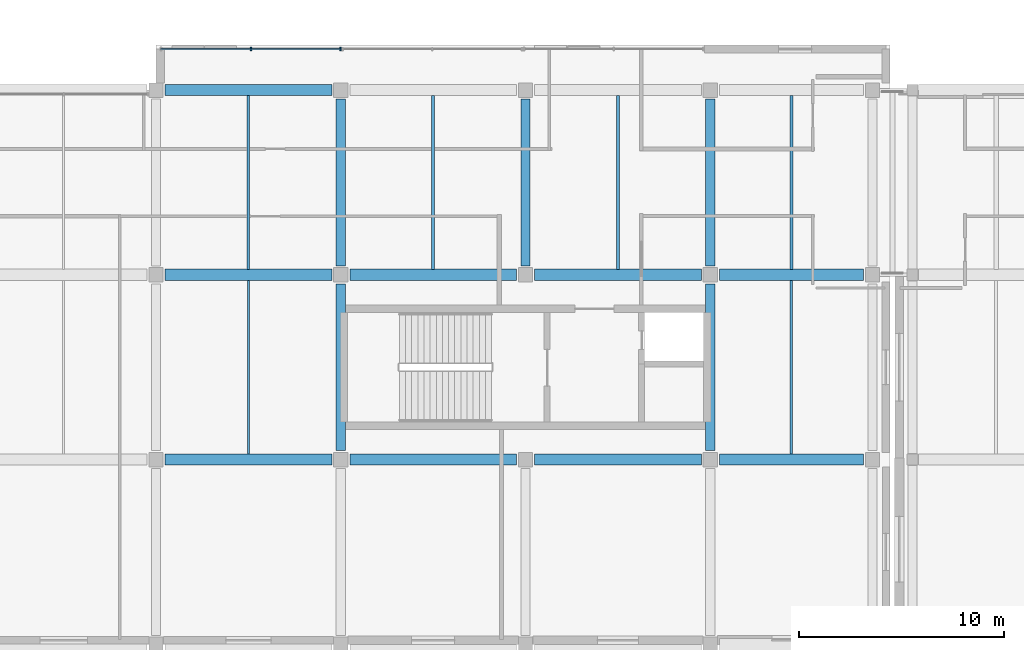
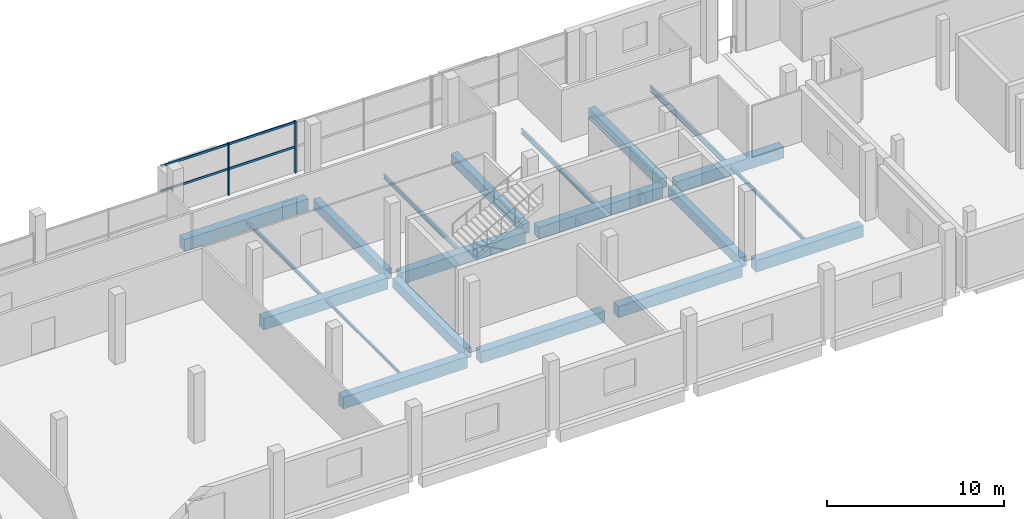
# One storey, part 50 of 111: 20 beams, 4 members, 1 element without a shape of its own.
"""IFC4 building model written with IfcOpenShell, lengths in metres."""

from ifc_helpers import new_model, si_unit, direction, frame, origin, origin_2d, place, context, subcontext, project, spatial, rectangle, i_section, extrude, material, material_profile, profile_set, type_object, element, aggregate, save


model = new_model("IFC4")

# Units and contexts
model_context = context("Model", 3, precision=1e-05, world=origin(), true_north=direction((0.0, 1.0)))
body_context = subcontext(model_context, "Body", "Model", "MODEL_VIEW")
ifc_project = project(units=[si_unit("LENGTHUNIT", "METRE"), si_unit("AREAUNIT", "SQUARE_METRE"), si_unit("VOLUMEUNIT", "CUBIC_METRE"), si_unit("PLANEANGLEUNIT", "RADIAN"), si_unit("MASSUNIT", "GRAM", prefix="KILO"), si_unit("THERMODYNAMICTEMPERATUREUNIT", "KELVIN"), si_unit("POWERUNIT", "WATT")], contexts=[model_context])

# Site, building, storey
site_placement = place(None, origin())
site = spatial("IfcSite", under=ifc_project, at=site_placement, CompositionType="ELEMENT")
building_placement = place(site_placement, origin())
building = spatial("IfcBuilding", under=site, at=building_placement, Name="Sindhuravela Promenade Stadium", CompositionType="ELEMENT")
storey_placement = place(building_placement, frame((0.0, 0.0, 9.60009765625)))
storey = spatial("IfcBuildingStorey", under=building, at=storey_placement, Name="L02", CompositionType="ELEMENT", Elevation=9.60009765625)

# Curtain wall, members
ifc_material_1 = material(Name="Anodised architectural aluminium 6063-T6", Category="aluminium")
curtain_wall_type = type_object("IfcCurtainWallType", Name="CW-MOD-3", PredefinedType="NOTDEFINED", material=ifc_material_1)
curtain_wall_placement = place(storey_placement, origin())
curtain_wall = element("IfcCurtainWall", 1, at=curtain_wall_placement, inside=storey, type_object=curtain_wall_type, Name="Bronze curtain wall CW-NORTH-L02-162", PredefinedType="NOTDEFINED")
ifc_material_profile_1 = material_profile(ifc_material_1, rectangle(XDim=0.074951171875, YDim=0.175048828125, at=origin_2d()), Name="ALU MULL 75x175")
ifc_profile_set_1 = profile_set([ifc_material_profile_1], Name="Anodised architectural aluminium 6063-T6")
member_type_1 = type_object("IfcMemberType", Name="CW-MUL-1", PredefinedType="MULLION", material=ifc_profile_set_1)
member_1_placement = place(storey_placement, frame((130.618896484375, 155.0, 0.0), z_axis=(0.0, 0.0, 1.0), x_axis=(1.0, 0.0, 0.0)))
member_1 = element("IfcMember", 2, at=member_1_placement, type_object=member_type_1, Name="Curtain wall mullion CW-NORTH-L02-162-M2", PredefinedType="MULLION", context=body_context, shape_type="SweptSolid", body=[
    extrude(rectangle(XDim=0.074951171875, YDim=0.175048828125, at=origin_2d()), origin(), (0.0, 0.0, 1.0), 3.579833984375),
])
member_2_placement = place(storey_placement, frame((134.992431640625, 155.0, 0.0), z_axis=(0.0, 0.0, 1.0), x_axis=(1.0, 0.0, 0.0)))
member_2 = element("IfcMember", 3, at=member_2_placement, type_object=member_type_1, Name="Curtain wall mullion CW-NORTH-L02-162-M3", PredefinedType="MULLION", context=body_context, shape_type="SweptSolid", body=[
    extrude(rectangle(XDim=0.074951171875, YDim=0.175048828125, at=origin_2d()), origin(), (0.0, 0.0, 1.0), 3.579833984375),
])
ifc_material_profile_2 = material_profile(ifc_material_1, rectangle(XDim=0.074951171875, YDim=0.14990234375, at=origin_2d()), Name="ALU TRAN 75x150")
ifc_profile_set_2 = profile_set([ifc_material_profile_2], Name="Anodised architectural aluminium 6063-T6")
member_type_2 = type_object("IfcMemberType", Name="CW-TRN-1", PredefinedType="USERDEFINED", material=ifc_profile_set_2)
member_3_placement = place(storey_placement, frame((126.219970703125, 155.0, 1.789794921875), z_axis=(1.0, 0.0, 0.0), x_axis=(0.0, 1.0, 0.0)))
member_3 = element("IfcMember", 4, at=member_3_placement, type_object=member_type_2, Name="Curtain wall transom CW-NORTH-L02-162-T1", ObjectType="TRANSOM", PredefinedType="USERDEFINED", context=body_context, shape_type="SweptSolid", body=[
    extrude(rectangle(XDim=0.074951171875, YDim=0.14990234375, at=origin_2d()), origin(), (0.0, 0.0, 1.0), 8.797607421875),
])
member_4_placement = place(storey_placement, frame((126.219970703125, 155.0, 3.5), z_axis=(1.0, 0.0, 0.0), x_axis=(0.0, 1.0, 0.0)))
member_4 = element("IfcMember", 5, at=member_4_placement, type_object=member_type_2, Name="Curtain wall transom CW-NORTH-L02-162-T2", ObjectType="TRANSOM", PredefinedType="USERDEFINED", context=body_context, shape_type="SweptSolid", body=[
    extrude(rectangle(XDim=0.074951171875, YDim=0.14990234375, at=origin_2d()), origin(), (0.0, 0.0, 1.0), 8.797607421875),
])
aggregate(curtain_wall, [member_1, member_2, member_3, member_4])

# Beams
ifc_material_2 = material(Name="Concrete M40", Category="concrete")
ifc_material_profile_3 = material_profile(ifc_material_2, rectangle(XDim=0.449951171875, YDim=0.699951171875, at=origin_2d()), Name="RC 450x700")
ifc_profile_set_3 = profile_set([ifc_material_profile_3], Name="Concrete M40")
beam_type_1 = type_object("IfcBeamType", Name="RC-BM-450x700", PredefinedType="BEAM", material=ifc_profile_set_3)
for number, where, z_axis, x_axis, name in (
    (6, (135.0, 135.43994140625, -0.630126953125), (0.0, 1.0, 0.0), (-1.0, 0.0, 0.0), "Primary beam GB07 NORTH L02"),
    (7, (135.0, 144.43994140625, -0.630126953125), (0.0, 1.0, 0.0), (-1.0, 0.0, 0.0), "Primary beam GB07 NORTH L02"),
    (8, (144.0, 144.43994140625, -0.630126953125), (0.0, 1.0, 0.0), (-1.0, 0.0, 0.0), "Primary beam GB07 NORTH L02"),
    (9, (153.0, 135.43994140625, -0.630126953125), (0.0, 1.0, 0.0), (-1.0, 0.0, 0.0), "Primary beam GB07 NORTH L02"),
    (10, (153.0, 144.43994140625, -0.630126953125), (0.0, 1.0, 0.0), (-1.0, 0.0, 0.0), "Primary beam GB07 NORTH L02"),
):
    element("IfcBeam", number, at=place(storey_placement, frame(where, z_axis=z_axis, x_axis=x_axis)), inside=storey, type_object=beam_type_1, Name=name, PredefinedType="BEAM", context=body_context, shape_type="SweptSolid", body=[
        extrude(rectangle(XDim=0.449951171875, YDim=0.699951171875, at=origin_2d()), origin(), (0.0, 0.0, 1.0), 8.1201171875),
    ])
ifc_material_profile_4 = material_profile(ifc_material_2, rectangle(XDim=0.550048828125, YDim=0.800048828125, at=origin_2d()), Name="RC 550x800")
ifc_profile_set_4 = profile_set([ifc_material_profile_4], Name="Concrete M40")
beam_type_2 = type_object("IfcBeamType", Name="RC-BM-550x800", PredefinedType="BEAM", material=ifc_profile_set_4)
for number, where, z_axis, x_axis, name in (
    (11, (126.43994140625, 135.0, -0.68017578125), (1.0, 0.0, 0.0), (0.0, 1.0, 0.0), "Primary girder GB05 NORTH L02"),
    (12, (135.43994140625, 135.0, -0.68017578125), (1.0, 0.0, 0.0), (0.0, 1.0, 0.0), "Primary girder GB05 NORTH L02"),
    (13, (144.43994140625, 135.0, -0.68017578125), (1.0, 0.0, 0.0), (0.0, 1.0, 0.0), "Primary girder GB05 NORTH L02"),
):
    element("IfcBeam", number, at=place(storey_placement, frame(where, z_axis=z_axis, x_axis=x_axis)), inside=storey, type_object=beam_type_2, Name=name, PredefinedType="BEAM", context=body_context, shape_type="SweptSolid", body=[
        extrude(rectangle(XDim=0.550048828125, YDim=0.800048828125, at=origin_2d()), origin(), (0.0, 0.0, 1.0), 8.1201171875),
    ])
beam_1_placement = place(storey_placement, frame((153.43994140625, 135.0, -0.68017578125), z_axis=(1.0, 0.0, 0.0), x_axis=(0.0, 1.0, 0.0)))
element("IfcBeam", 14, at=beam_1_placement, inside=storey, type_object=beam_type_2, Name="Primary girder GB05 NORTH L02", PredefinedType="BEAM", context=body_context, shape_type="SweptSolid", body=[
    extrude(rectangle(XDim=0.550048828125, YDim=0.800048828125, at=origin_2d()), origin(), (0.0, 0.0, 1.0), 7.02001953125),
])
for number, where, z_axis, x_axis, name in (
    (15, (126.43994140625, 144.0, -0.68017578125), (1.0, 0.0, 0.0), (0.0, 1.0, 0.0), "Primary girder GB05 NORTH L02"),
    (16, (135.43994140625, 144.0, -0.68017578125), (1.0, 0.0, 0.0), (0.0, 1.0, 0.0), "Primary girder GB05 NORTH L02"),
    (17, (144.43994140625, 144.0, -0.68017578125), (1.0, 0.0, 0.0), (0.0, 1.0, 0.0), "Primary girder GB05 NORTH L02"),
):
    element("IfcBeam", number, at=place(storey_placement, frame(where, z_axis=z_axis, x_axis=x_axis)), inside=storey, type_object=beam_type_2, Name=name, PredefinedType="BEAM", context=body_context, shape_type="SweptSolid", body=[
        extrude(rectangle(XDim=0.550048828125, YDim=0.800048828125, at=origin_2d()), origin(), (0.0, 0.0, 1.0), 8.1201171875),
    ])
beam_2_placement = place(storey_placement, frame((153.43994140625, 144.0, -0.68017578125), z_axis=(1.0, 0.0, 0.0), x_axis=(0.0, 1.0, 0.0)))
element("IfcBeam", 18, at=beam_2_placement, inside=storey, type_object=beam_type_2, Name="Primary girder GB05 NORTH L02", PredefinedType="BEAM", context=body_context, shape_type="SweptSolid", body=[
    extrude(rectangle(XDim=0.550048828125, YDim=0.800048828125, at=origin_2d()), origin(), (0.0, 0.0, 1.0), 7.02001953125),
])
beam_3_placement = place(storey_placement, frame((126.43994140625, 153.0, -0.68017578125), z_axis=(1.0, 0.0, 0.0), x_axis=(0.0, 1.0, 0.0)))
element("IfcBeam", 19, at=beam_3_placement, inside=storey, type_object=beam_type_2, Name="Primary girder GB05 NORTH L02", PredefinedType="BEAM", context=body_context, shape_type="SweptSolid", body=[
    extrude(rectangle(XDim=0.550048828125, YDim=0.800048828125, at=origin_2d()), origin(), (0.0, 0.0, 1.0), 8.1201171875),
])
ifc_material_3 = material(Name="Steel E350 (IS 2062 E350BR)", Category="steel")
ifc_material_profile_5 = material_profile(ifc_material_3, i_section(OverallWidth=0.10009765625, OverallDepth=0.199951171875, WebThickness=0.005615234375, FlangeThickness=0.0107421875, FilletRadius=0.010986328125, at=origin_2d()), Name="ISMB 200")
ifc_profile_set_5 = profile_set([ifc_material_profile_5], Name="Steel E350 (IS 2062 E350BR)")
beam_type_3 = type_object("IfcBeamType", Name="ST-BM-MB200", PredefinedType="JOIST", material=ifc_profile_set_5)
beam_4_placement = place(storey_placement, frame((130.5, 135.264892578125, -0.380126953125), z_axis=(0.0, 1.0, 0.0), x_axis=(-1.0, 0.0, 0.0)))
element("IfcBeam", 20, at=beam_4_placement, inside=storey, type_object=beam_type_3, Name="Secondary floor joist SB01 NORTH L02", PredefinedType="JOIST", context=body_context, shape_type="SweptSolid", body=[
    extrude(i_section(OverallWidth=0.10009765625, OverallDepth=0.199951171875, WebThickness=0.005615234375, FlangeThickness=0.0107421875, FilletRadius=0.010986328125, at=origin_2d()), origin(), (0.0, 0.0, 1.0), 8.47021484375),
])
ifc_material_profile_6 = material_profile(ifc_material_3, i_section(OverallWidth=0.125, OverallDepth=0.25, WebThickness=0.0068359375, FlangeThickness=0.012451171875, FilletRadius=0.012939453125, at=origin_2d()), Name="ISMB 250")
ifc_profile_set_6 = profile_set([ifc_material_profile_6], Name="Steel E350 (IS 2062 E350BR)")
beam_type_4 = type_object("IfcBeamType", Name="ST-BM-MB250", PredefinedType="JOIST", material=ifc_profile_set_6)
for number, where, z_axis, x_axis, name in (
    (21, (156.949951171875, 135.264892578125, -0.405029296875), (0.0, 1.0, 0.0), (-1.0, 0.0, 0.0), "Secondary floor joist SB02 NORTH L02"),
    (22, (130.5, 144.264892578125, -0.405029296875), (0.0, 1.0, 0.0), (-1.0, 0.0, 0.0), "Secondary floor joist SB02 NORTH L02"),
):
    element("IfcBeam", number, at=place(storey_placement, frame(where, z_axis=z_axis, x_axis=x_axis)), inside=storey, type_object=beam_type_4, Name=name, PredefinedType="JOIST", context=body_context, shape_type="SweptSolid", body=[
        extrude(i_section(OverallWidth=0.125, OverallDepth=0.25, WebThickness=0.0068359375, FlangeThickness=0.012451171875, FilletRadius=0.012939453125, at=origin_2d()), origin(), (0.0, 0.0, 1.0), 8.47021484375),
    ])
ifc_material_profile_7 = material_profile(ifc_material_3, i_section(OverallWidth=0.139892578125, OverallDepth=0.300048828125, WebThickness=0.0078125, FlangeThickness=0.01318359375, FilletRadius=0.013916015625, at=origin_2d()), Name="ISMB 300")
ifc_profile_set_7 = profile_set([ifc_material_profile_7], Name="Steel E350 (IS 2062 E350BR)")
beam_type_5 = type_object("IfcBeamType", Name="ST-BM-MB300", PredefinedType="JOIST", material=ifc_profile_set_7)
beam_5_placement = place(storey_placement, frame((139.5, 144.264892578125, -0.43017578125), z_axis=(0.0, 1.0, 0.0), x_axis=(-1.0, 0.0, 0.0)))
element("IfcBeam", 23, at=beam_5_placement, inside=storey, type_object=beam_type_5, Name="Secondary floor joist SB03 NORTH L02", PredefinedType="JOIST", context=body_context, shape_type="SweptSolid", body=[
    extrude(i_section(OverallWidth=0.139892578125, OverallDepth=0.300048828125, WebThickness=0.0078125, FlangeThickness=0.01318359375, FilletRadius=0.013916015625, at=origin_2d()), origin(), (0.0, 0.0, 1.0), 8.47021484375),
])
ifc_material_profile_8 = material_profile(ifc_material_3, i_section(OverallWidth=0.139892578125, OverallDepth=0.35009765625, WebThickness=0.008056640625, FlangeThickness=0.01416015625, FilletRadius=0.013916015625, at=origin_2d()), Name="ISMB 350")
ifc_profile_set_8 = profile_set([ifc_material_profile_8], Name="Steel E350 (IS 2062 E350BR)")
beam_type_6 = type_object("IfcBeamType", Name="ST-BM-MB350", PredefinedType="JOIST", material=ifc_profile_set_8)
beam_6_placement = place(storey_placement, frame((148.5, 144.264892578125, -0.455078125), z_axis=(0.0, 1.0, 0.0), x_axis=(-1.0, 0.0, 0.0)))
element("IfcBeam", 24, at=beam_6_placement, inside=storey, type_object=beam_type_6, Name="Secondary floor joist SB04 NORTH L02", PredefinedType="JOIST", context=body_context, shape_type="SweptSolid", body=[
    extrude(i_section(OverallWidth=0.139892578125, OverallDepth=0.35009765625, WebThickness=0.008056640625, FlangeThickness=0.01416015625, FilletRadius=0.013916015625, at=origin_2d()), origin(), (0.0, 0.0, 1.0), 8.47021484375),
])
ifc_material_profile_9 = material_profile(ifc_material_3, i_section(OverallWidth=0.139892578125, OverallDepth=0.39990234375, WebThickness=0.0087890625, FlangeThickness=0.01611328125, FilletRadius=0.013916015625, at=origin_2d()), Name="ISMB 400")
ifc_profile_set_9 = profile_set([ifc_material_profile_9], Name="Steel E350 (IS 2062 E350BR)")
beam_type_7 = type_object("IfcBeamType", Name="ST-BM-MB400", PredefinedType="BEAM", material=ifc_profile_set_9)
beam_7_placement = place(storey_placement, frame((156.949951171875, 144.264892578125, -0.47998046875), z_axis=(0.0, 1.0, 0.0), x_axis=(-1.0, 0.0, 0.0)))
element("IfcBeam", 25, at=beam_7_placement, inside=storey, type_object=beam_type_7, Name="Secondary floor joist SB05 NORTH L02", PredefinedType="BEAM", context=body_context, shape_type="SweptSolid", body=[
    extrude(i_section(OverallWidth=0.139892578125, OverallDepth=0.39990234375, WebThickness=0.0087890625, FlangeThickness=0.01611328125, FilletRadius=0.013916015625, at=origin_2d()), origin(), (0.0, 0.0, 1.0), 8.47021484375),
])

save(model, "model.ifc")
